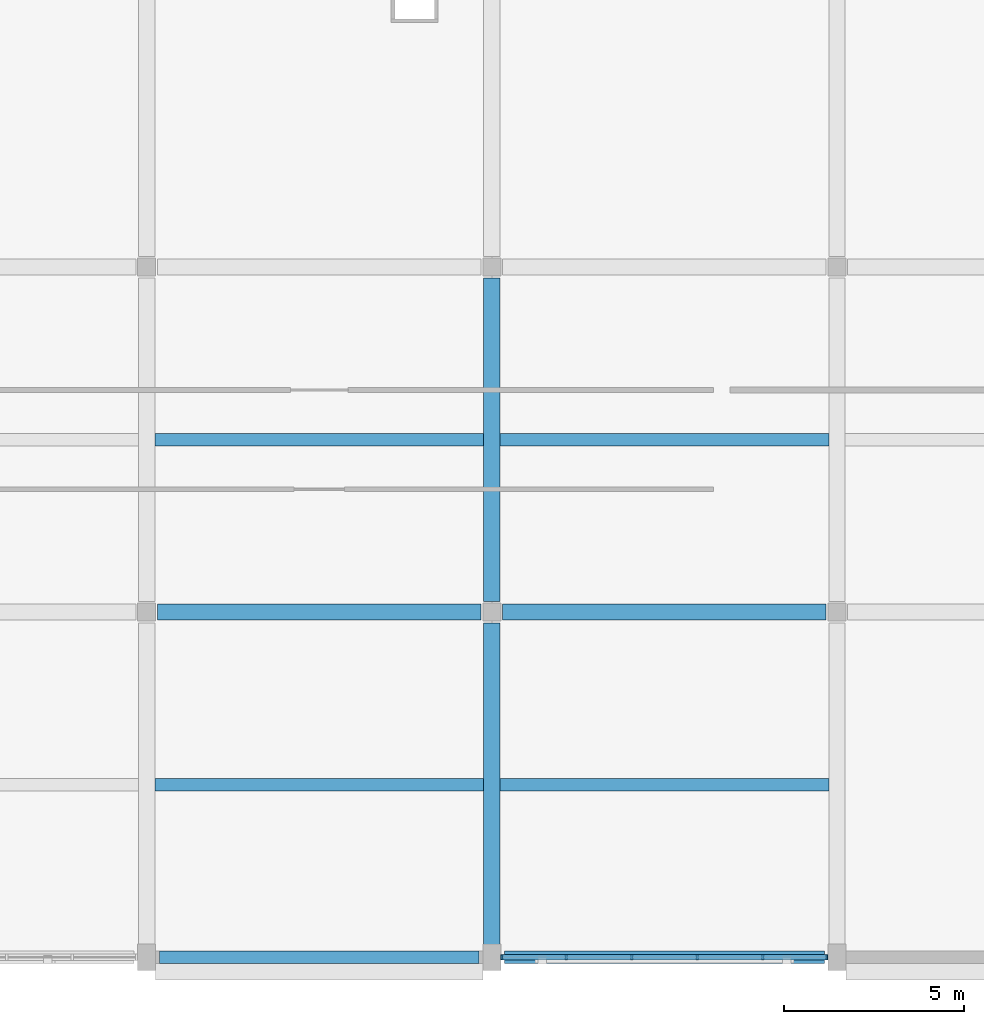
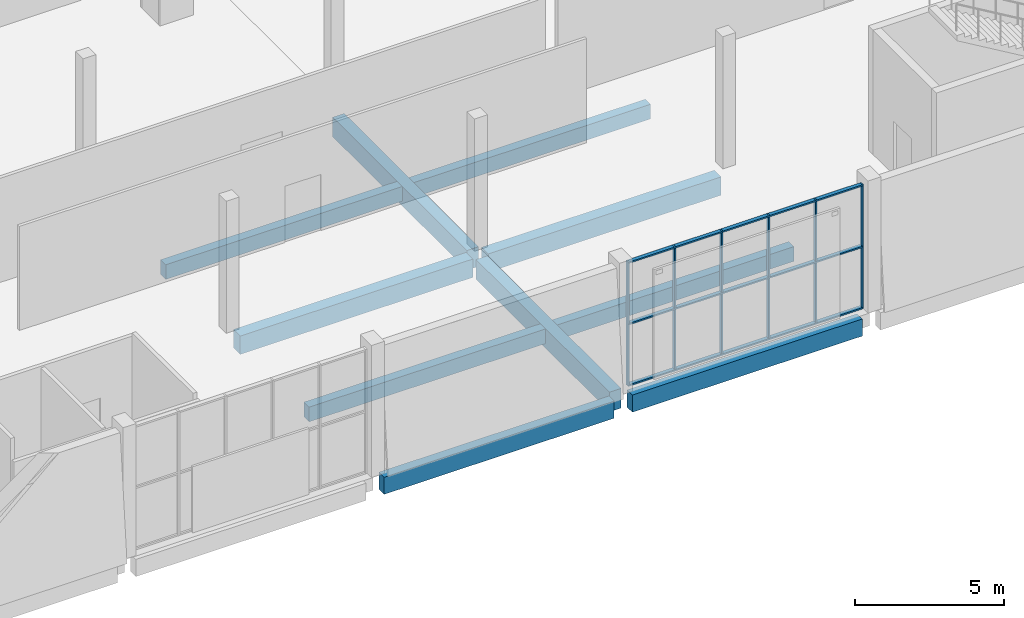
# One storey, part 9 of 83: 10 beams, 9 members, 1 element without a shape of its own.
"""IFC4 building model written with IfcOpenShell, lengths in metres."""

from ifc_helpers import new_model, si_unit, direction, frame, origin, origin_2d, place, context, subcontext, project, spatial, rectangle, extrude, material, material_profile, profile_set, type_object, element, aggregate, save


model = new_model("IFC4")

# Units and contexts
model_context = context("Model", 3, precision=1e-05, world=origin(), true_north=direction((0.0, 1.0)))
body_context = subcontext(model_context, "Body", "Model", "MODEL_VIEW")
ifc_project = project(units=[si_unit("LENGTHUNIT", "METRE"), si_unit("AREAUNIT", "SQUARE_METRE"), si_unit("VOLUMEUNIT", "CUBIC_METRE"), si_unit("PLANEANGLEUNIT", "RADIAN"), si_unit("MASSUNIT", "GRAM", prefix="KILO")], contexts=[model_context])

# Site, building, storey
site_placement = place(None, origin())
site = spatial("IfcSite", under=ifc_project, at=site_placement, CompositionType="ELEMENT")
building_placement = place(site_placement, origin())
building = spatial("IfcBuilding", under=site, at=building_placement, Name="Shalvenor Court Art Gallery", CompositionType="ELEMENT")
storey_placement = place(building_placement, frame((0.0, 0.0, 6.0)))
storey = spatial("IfcBuildingStorey", under=building, at=storey_placement, Name="L01", CompositionType="ELEMENT", Elevation=6.0)

# Beams
ifc_material_1 = material(Name="Concrete C40/50", Category="concrete")
ifc_material_profile_1 = material_profile(ifc_material_1, rectangle(XDim=0.449951171875, YDim=0.800048828125, at=origin_2d()), Name="RC 450x800")
ifc_profile_set_1 = profile_set([ifc_material_profile_1], Name="Concrete C40/50")
beam_type_1 = type_object("IfcBeamType", Name="B-03", PredefinedType="BEAM", material=ifc_profile_set_1)
beam_1_placement = place(storey_placement, frame((38.39990234375, 0.35009765625, -0.719970703125), z_axis=(0.0, 1.0, 0.0), x_axis=(-1.0, 0.0, 0.0)))
element("IfcBeam", 1, at=beam_1_placement, inside=storey, type_object=beam_type_1, Name="L01 Girder BM-L01-B-03-0388", PredefinedType="BEAM", context=body_context, shape_type="SweptSolid", body=[
    extrude(rectangle(XDim=0.449951171875, YDim=0.800048828125, at=origin_2d()), origin(), (0.0, 0.0, 1.0), 8.949951171875),
])
beam_2_placement = place(storey_placement, frame((38.39990234375, 9.89990234375, -0.719970703125), z_axis=(0.0, 1.0, 0.0), x_axis=(-1.0, 0.0, 0.0)))
element("IfcBeam", 2, at=beam_2_placement, inside=storey, type_object=beam_type_1, Name="L01 Girder BM-L01-B-03-0389", PredefinedType="BEAM", context=body_context, shape_type="SweptSolid", body=[
    extrude(rectangle(XDim=0.449951171875, YDim=0.800048828125, at=origin_2d()), origin(), (0.0, 0.0, 1.0), 9.0),
])
ifc_material_2 = material(Name="Concrete C40/50", Category="concrete")
ifc_material_profile_2 = material_profile(ifc_material_2, rectangle(XDim=0.449951171875, YDim=0.75, at=origin_2d()), Name="RC 450x750")
ifc_profile_set_2 = profile_set([ifc_material_profile_2], Name="Concrete C40/50")
beam_type_2 = type_object("IfcBeamType", Name="B-04", PredefinedType="BEAM", material=ifc_profile_set_2)
for number, where, z_axis, x_axis, name in (
    (3, (29.10009765625, 9.60009765625, -0.695068359375), (1.0, 0.0, 0.0), (0.0, 1.0, 0.0), "L01 Girder BM-L01-B-04-0500"),
    (4, (38.699951171875, 9.60009765625, -0.695068359375), (1.0, 0.0, 0.0), (0.0, 1.0, 0.0), "L01 Girder BM-L01-B-04-0501"),
):
    element("IfcBeam", number, at=place(storey_placement, frame(where, z_axis=z_axis, x_axis=x_axis)), inside=storey, type_object=beam_type_2, Name=name, PredefinedType="BEAM", context=body_context, shape_type="SweptSolid", body=[
        extrude(rectangle(XDim=0.449951171875, YDim=0.75, at=origin_2d()), origin(), (0.0, 0.0, 1.0), 9.0),
    ])

# Curtain wall, members
ifc_material_3 = material(Name="Anodised aluminium and low-iron glass curtain wall", Category="aluminium")
curtain_wall_type = type_object("IfcCurtainWallType", Name="CW-5x2-91-51-611", PredefinedType="USERDEFINED", material=ifc_material_3)
curtain_wall_placement = place(storey_placement, origin())
curtain_wall = element("IfcCurtainWall", 5, at=curtain_wall_placement, inside=storey, type_object=curtain_wall_type, Name="L01 V4 Curtain Wall CW-L01-135", ObjectType="CURTAIN WALL", PredefinedType="USERDEFINED")
ifc_material_4 = material(Name="Anodised aluminium mullion", Category="aluminium")
ifc_material_profile_3 = material_profile(ifc_material_4, rectangle(XDim=0.054931640625, YDim=0.139892578125, at=origin_2d()), Name="CWM-06")
ifc_profile_set_3 = profile_set([ifc_material_profile_3], Name="Anodised aluminium mullion")
member_type_1 = type_object("IfcMemberType", Name="CWM-06", PredefinedType="MULLION", material=ifc_profile_set_3)
member_1_placement = place(storey_placement, frame((47.722412109375, 0.0, 0.0), z_axis=(0.0, 0.0, 1.0), x_axis=(-1.0, 0.0, 0.0)))
member_1 = element("IfcMember", 6, at=member_1_placement, type_object=member_type_1, Name="CW-5x2-91-51-611 mullion 1", PredefinedType="MULLION", context=body_context, shape_type="SweptSolid", body=[
    extrude(rectangle(XDim=0.054931640625, YDim=0.139892578125, at=origin_2d()), origin(), (0.0, 0.0, 1.0), 5.080078125),
])
member_2_placement = place(storey_placement, frame((45.929931640625, 0.0, 0.0), z_axis=(0.0, 0.0, 1.0), x_axis=(-1.0, 0.0, 0.0)))
member_2 = element("IfcMember", 7, at=member_2_placement, type_object=member_type_1, Name="CW-5x2-91-51-611 mullion 2", PredefinedType="MULLION", context=body_context, shape_type="SweptSolid", body=[
    extrude(rectangle(XDim=0.054931640625, YDim=0.139892578125, at=origin_2d()), origin(), (0.0, 0.0, 1.0), 5.080078125),
])
member_3_placement = place(storey_placement, frame((44.110107421875, 0.0, 0.0), z_axis=(0.0, 0.0, 1.0), x_axis=(-1.0, 0.0, 0.0)))
member_3 = element("IfcMember", 8, at=member_3_placement, type_object=member_type_1, Name="CW-5x2-91-51-611 mullion 3", PredefinedType="MULLION", context=body_context, shape_type="SweptSolid", body=[
    extrude(rectangle(XDim=0.054931640625, YDim=0.139892578125, at=origin_2d()), origin(), (0.0, 0.0, 1.0), 5.080078125),
])
member_4_placement = place(storey_placement, frame((42.2900390625, 0.0, 0.0), z_axis=(0.0, 0.0, 1.0), x_axis=(-1.0, 0.0, 0.0)))
member_4 = element("IfcMember", 9, at=member_4_placement, type_object=member_type_1, Name="CW-5x2-91-51-611 mullion 4", PredefinedType="MULLION", context=body_context, shape_type="SweptSolid", body=[
    extrude(rectangle(XDim=0.054931640625, YDim=0.139892578125, at=origin_2d()), origin(), (0.0, 0.0, 1.0), 5.080078125),
])
member_5_placement = place(storey_placement, frame((40.469970703125, 0.0, 0.0), z_axis=(0.0, 0.0, 1.0), x_axis=(-1.0, 0.0, 0.0)))
member_5 = element("IfcMember", 10, at=member_5_placement, type_object=member_type_1, Name="CW-5x2-91-51-611 mullion 5", PredefinedType="MULLION", context=body_context, shape_type="SweptSolid", body=[
    extrude(rectangle(XDim=0.054931640625, YDim=0.139892578125, at=origin_2d()), origin(), (0.0, 0.0, 1.0), 5.080078125),
])
member_6_placement = place(storey_placement, frame((38.677490234375, 0.0, 0.0), z_axis=(0.0, 0.0, 1.0), x_axis=(-1.0, 0.0, 0.0)))
member_6 = element("IfcMember", 11, at=member_6_placement, type_object=member_type_1, Name="CW-5x2-91-51-611 mullion 6", PredefinedType="MULLION", context=body_context, shape_type="SweptSolid", body=[
    extrude(rectangle(XDim=0.054931640625, YDim=0.139892578125, at=origin_2d()), origin(), (0.0, 0.0, 1.0), 5.080078125),
])
ifc_material_5 = material(Name="Anodised aluminium transom", Category="aluminium")
ifc_material_profile_4 = material_profile(ifc_material_5, rectangle(XDim=0.14990234375, YDim=0.06005859375, at=origin_2d()), Name="CWT-01")
ifc_profile_set_4 = profile_set([ifc_material_profile_4], Name="Anodised aluminium transom")
member_type_2 = type_object("IfcMemberType", Name="CWT-01", PredefinedType="USERDEFINED", material=ifc_profile_set_4)
member_7_placement = place(storey_placement, frame((47.722412109375, 0.0, 0.030029296875), z_axis=(-1.0, 0.0, 0.0), x_axis=(0.0, -1.0, 0.0)))
member_7 = element("IfcMember", 12, at=member_7_placement, type_object=member_type_2, Name="CW-5x2-91-51-611 transom 1", ObjectType="TRANSOM", PredefinedType="USERDEFINED", context=body_context, shape_type="SweptSolid", body=[
    extrude(rectangle(XDim=0.14990234375, YDim=0.06005859375, at=origin_2d()), origin(), (0.0, 0.0, 1.0), 9.044921875),
])
member_8_placement = place(storey_placement, frame((47.722412109375, 0.0, 2.5400390625), z_axis=(-1.0, 0.0, 0.0), x_axis=(0.0, -1.0, 0.0)))
member_8 = element("IfcMember", 13, at=member_8_placement, type_object=member_type_2, Name="CW-5x2-91-51-611 transom 2", ObjectType="TRANSOM", PredefinedType="USERDEFINED", context=body_context, shape_type="SweptSolid", body=[
    extrude(rectangle(XDim=0.14990234375, YDim=0.06005859375, at=origin_2d()), origin(), (0.0, 0.0, 1.0), 9.044921875),
])
member_9_placement = place(storey_placement, frame((47.722412109375, 0.0, 5.050048828125), z_axis=(-1.0, 0.0, 0.0), x_axis=(0.0, -1.0, 0.0)))
member_9 = element("IfcMember", 14, at=member_9_placement, type_object=member_type_2, Name="CW-5x2-91-51-611 transom 3", ObjectType="TRANSOM", PredefinedType="USERDEFINED", context=body_context, shape_type="SweptSolid", body=[
    extrude(rectangle(XDim=0.14990234375, YDim=0.06005859375, at=origin_2d()), origin(), (0.0, 0.0, 1.0), 9.044921875),
])
aggregate(curtain_wall, [member_1, member_2, member_3, member_4, member_5, member_6, member_7, member_8, member_9])

# Beams
ifc_material_6 = material(Name="Concrete C40/50", Category="concrete")
ifc_material_profile_5 = material_profile(ifc_material_6, rectangle(XDim=0.35009765625, YDim=0.60009765625, at=origin_2d()), Name="RC 350x600")
ifc_profile_set_5 = profile_set([ifc_material_profile_5], Name="Concrete C40/50")
beam_type_3 = type_object("IfcBeamType", Name="J-01", PredefinedType="JOIST", material=ifc_profile_set_5)
for number, where, z_axis, x_axis, name in (
    (15, (29.02490234375, 4.800048828125, -0.6201171875), (1.0, 0.0, 0.0), (0.0, 1.0, 0.0), "L01 Secondary Beam JST-L01-J-01-0635"),
    (16, (29.02490234375, 14.39990234375, -0.6201171875), (1.0, 0.0, 0.0), (0.0, 1.0, 0.0), "L01 Secondary Beam JST-L01-J-01-0636"),
):
    element("IfcBeam", number, at=place(storey_placement, frame(where, z_axis=z_axis, x_axis=x_axis)), inside=storey, type_object=beam_type_3, Name=name, PredefinedType="JOIST", context=body_context, shape_type="SweptSolid", body=[
        extrude(rectangle(XDim=0.35009765625, YDim=0.60009765625, at=origin_2d()), origin(), (0.0, 0.0, 1.0), 9.150146484375),
    ])
for number, where, z_axis, x_axis, name in (
    (17, (38.625, 4.800048828125, -0.6201171875), (1.0, 0.0, 0.0), (0.0, 1.0, 0.0), "L01 Secondary Beam JST-L01-J-01-0642"),
    (18, (38.625, 14.39990234375, -0.6201171875), (1.0, 0.0, 0.0), (0.0, 1.0, 0.0), "L01 Secondary Beam JST-L01-J-01-0643"),
):
    element("IfcBeam", number, at=place(storey_placement, frame(where, z_axis=z_axis, x_axis=x_axis)), inside=storey, type_object=beam_type_3, Name=name, PredefinedType="JOIST", context=body_context, shape_type="SweptSolid", body=[
        extrude(rectangle(XDim=0.35009765625, YDim=0.60009765625, at=origin_2d()), origin(), (0.0, 0.0, 1.0), 9.14990234375),
    ])
ifc_material_7 = material(Name="Concrete C40/50", Category="concrete")
ifc_material_profile_6 = material_profile(ifc_material_7, rectangle(XDim=0.35009765625, YDim=0.699951171875, at=origin_2d()), Name="RC 350x700")
ifc_profile_set_6 = profile_set([ifc_material_profile_6], Name="Concrete C40/50")
beam_type_4 = type_object("IfcBeamType", Name="SP-01", PredefinedType="SPANDREL", material=ifc_profile_set_6)
beam_3_placement = place(storey_placement, frame((29.14990234375, 0.0, -0.669921875), z_axis=(1.0, 0.0, 0.0), x_axis=(0.0, 1.0, 0.0)))
element("IfcBeam", 19, at=beam_3_placement, inside=storey, type_object=beam_type_4, Name="L01 Spandrel Girder BM-L01-SP-01-0490", PredefinedType="SPANDREL", context=body_context, shape_type="SweptSolid", body=[
    extrude(rectangle(XDim=0.35009765625, YDim=0.699951171875, at=origin_2d()), origin(), (0.0, 0.0, 1.0), 8.900146484375),
])
beam_4_placement = place(storey_placement, frame((38.75, 0.0, -0.669921875), z_axis=(1.0, 0.0, 0.0), x_axis=(0.0, 1.0, 0.0)))
element("IfcBeam", 20, at=beam_4_placement, inside=storey, type_object=beam_type_4, Name="L01 Spandrel Girder BM-L01-SP-01-0491", PredefinedType="SPANDREL", context=body_context, shape_type="SweptSolid", body=[
    extrude(rectangle(XDim=0.35009765625, YDim=0.699951171875, at=origin_2d()), origin(), (0.0, 0.0, 1.0), 8.89990234375),
])

save(model, "model.ifc")
